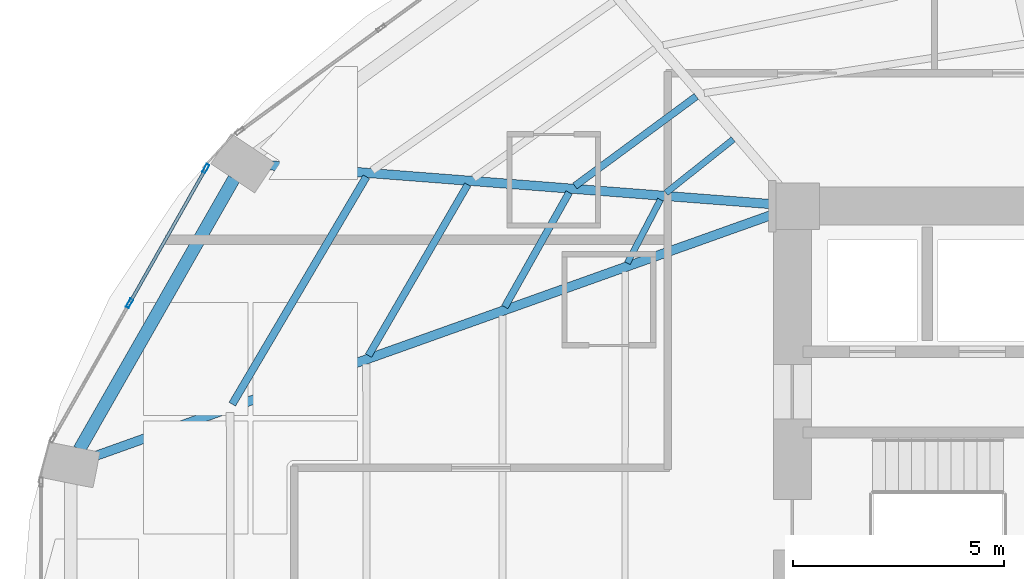
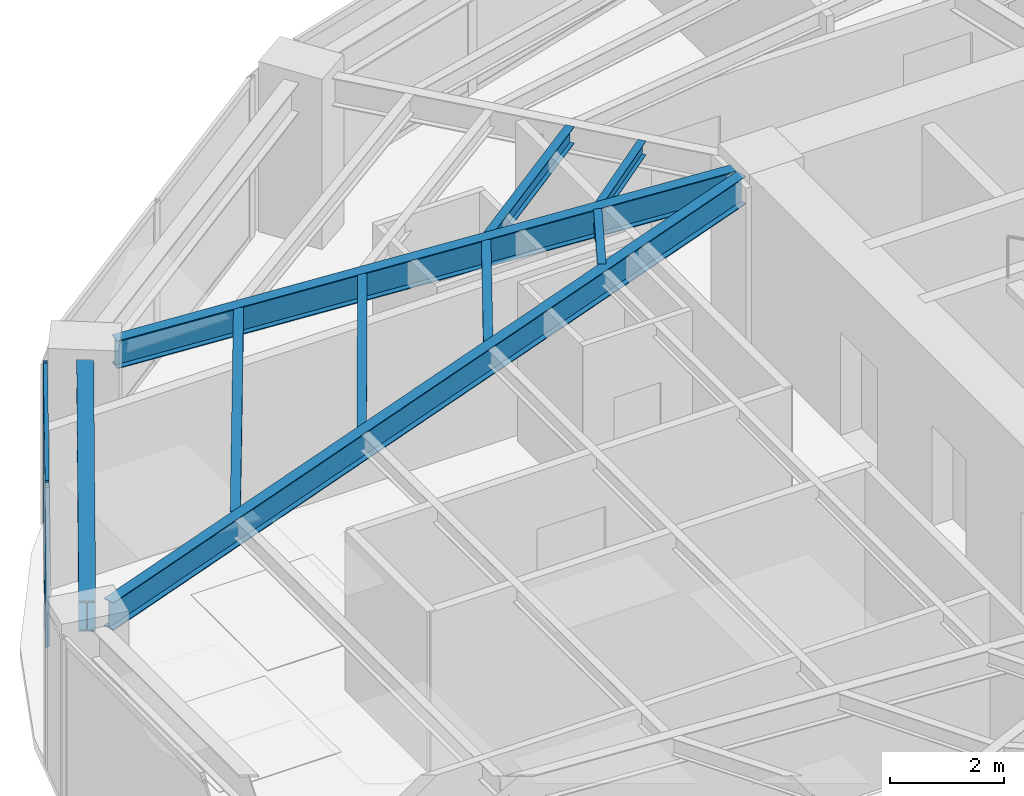
# One storey, part 8 of 25: 9 beams, 4 members, 1 element without a shape of its own.
"""IFC4 building model written with IfcOpenShell, lengths in metres."""

from ifc_helpers import new_model, si_unit, direction, frame, origin, origin_2d, place, context, subcontext, project, spatial, hollow_rectangle, i_section, extrude, material, layer, layer_set, material_profile, profile_set, type_object, element, aggregate, save


model = new_model("IFC4")

# Units and contexts
model_context = context("Model", 3, precision=1e-05, world=origin(), true_north=direction((0.0, 1.0)))
body_context = subcontext(model_context, "Body", "Model", "MODEL_VIEW")
ifc_project = project(units=[si_unit("LENGTHUNIT", "METRE"), si_unit("AREAUNIT", "SQUARE_METRE"), si_unit("VOLUMEUNIT", "CUBIC_METRE"), si_unit("PLANEANGLEUNIT", "RADIAN"), si_unit("MASSUNIT", "GRAM", prefix="KILO")], contexts=[model_context])

# Site, building, storey
site_placement = place(None, origin())
site = spatial("IfcSite", under=ifc_project, at=site_placement, CompositionType="ELEMENT")
building_placement = place(site_placement, origin())
building = spatial("IfcBuilding", under=site, at=building_placement, Name="Lazwardi Medical Tower", CompositionType="ELEMENT")
storey_placement = place(building_placement, frame((0.0, 0.0, 28.847900390625)))
storey = spatial("IfcBuildingStorey", under=building, at=storey_placement, Name="L06", CompositionType="ELEMENT", Elevation=28.847900390625)

# Beams
ifc_material_1 = material(Name="Steel S355", Category="steel")
ifc_material_profile_1 = material_profile(ifc_material_1, i_section(OverallWidth=0.300048828125, OverallDepth=0.64990234375, WebThickness=0.01611328125, FlangeThickness=0.031005859375, at=origin_2d()), Name="HEB 650")
ifc_profile_set_1 = profile_set([ifc_material_profile_1], Name="Steel S355")
beam_type_1 = type_object("IfcBeamType", Name="BM-RB-Z1", PredefinedType="BEAM", material=ifc_profile_set_1)
beam_1_placement = place(storey_placement, frame((13.072021484375, 36.24951171875, 3.10302734375), z_axis=(-0.495829348644, -0.868419977328, 0.0), x_axis=(0.868419977328, -0.495829348644, 0.0)))
element("IfcBeam", 1, at=beam_1_placement, inside=storey, type_object=beam_type_1, Name="Ring beam RB-02 B11 L06", PredefinedType="BEAM", context=body_context, shape_type="SweptSolid", body=[
    extrude(i_section(OverallWidth=0.300048828125, OverallDepth=0.64990234375, WebThickness=0.01611328125, FlangeThickness=0.031005859375, at=origin_2d()), origin(), (0.0, 0.0, 1.0), 7.38916015625),
])
ifc_material_profile_2 = material_profile(ifc_material_1, i_section(OverallWidth=0.219970703125, OverallDepth=0.60009765625, WebThickness=0.011962890625, FlangeThickness=0.01904296875, at=origin_2d()), Name="IPE 600")
ifc_profile_set_2 = profile_set([ifc_material_profile_2], Name="Steel S355")
beam_type_2 = type_object("IfcBeamType", Name="BM-RG-W1", PredefinedType="BEAM", material=ifc_profile_set_2)
beam_2_placement = place(storey_placement, frame((13.8583984375, 36.569580078125, 3.128173828125), z_axis=(0.997024241118, -0.077088667283, 0.0), x_axis=(0.077088667283, 0.997024241118, 0.0)))
element("IfcBeam", 2, at=beam_2_placement, inside=storey, type_object=beam_type_2, Name="Radial girder RG-02 R11 L06", PredefinedType="BEAM", context=body_context, shape_type="SweptSolid", body=[
    extrude(i_section(OverallWidth=0.219970703125, OverallDepth=0.60009765625, WebThickness=0.011962890625, FlangeThickness=0.01904296875, at=origin_2d()), origin(), (0.0, 0.0, 1.0), 12.044189453125),
])
beam_3_placement = place(storey_placement, frame((9.746337890625, 29.66259765625, 3.128173828125), z_axis=(0.941925080425, 0.335823082688, 0.0), x_axis=(-0.335823082688, 0.941925080425, 0.0)))
element("IfcBeam", 3, at=beam_3_placement, inside=storey, type_object=beam_type_2, Name="Radial girder RG-02 R12 L06", PredefinedType="BEAM", context=body_context, shape_type="SweptSolid", body=[
    extrude(i_section(OverallWidth=0.219970703125, OverallDepth=0.60009765625, WebThickness=0.011962890625, FlangeThickness=0.01904296875, at=origin_2d()), origin(), (0.0, 0.0, 1.0), 17.145263671875),
])
ifc_material_profile_3 = material_profile(ifc_material_1, i_section(OverallWidth=0.179931640625, OverallDepth=0.39990234375, WebThickness=0.008544921875, FlangeThickness=0.013427734375, at=origin_2d()), Name="IPE 400")
ifc_profile_set_3 = profile_set([ifc_material_profile_3], Name="Steel S355")
beam_type_3 = type_object("IfcBeamType", Name="BM-SJ-01", PredefinedType="JOIST", material=ifc_profile_set_3)
beam_4_placement = place(storey_placement, frame((16.206787109375, 36.29345703125, 3.22802734375), z_axis=(-0.507886270937, -0.861424132349, 0.0), x_axis=(0.861424132349, -0.507886270937, 0.0)))
element("IfcBeam", 4, at=beam_4_placement, inside=storey, type_object=beam_type_3, Name="Secondary joist SJ-01 R1 B11 L06", PredefinedType="JOIST", context=body_context, shape_type="SweptSolid", body=[
    extrude(i_section(OverallWidth=0.179931640625, OverallDepth=0.39990234375, WebThickness=0.008544921875, FlangeThickness=0.013427734375, at=origin_2d()), origin(), (0.0, 0.0, 1.0), 6.255859375),
])
ifc_material_profile_4 = material_profile(ifc_material_1, i_section(OverallWidth=0.169921875, OverallDepth=0.360107421875, WebThickness=0.008056640625, FlangeThickness=0.0126953125, at=origin_2d()), Name="IPE 360")
ifc_profile_set_4 = profile_set([ifc_material_profile_4], Name="Steel S355")
beam_type_4 = type_object("IfcBeamType", Name="BM-SJ-02", PredefinedType="JOIST", material=ifc_profile_set_4)
beam_5_placement = place(storey_placement, frame((18.60888671875, 36.107421875, 3.248046875), z_axis=(-0.501798442848, -0.86498457949, 0.0), x_axis=(0.86498457949, -0.501798442848, 0.0)))
element("IfcBeam", 5, at=beam_5_placement, inside=storey, type_object=beam_type_4, Name="Secondary joist SJ-02 R2 B11 L06", PredefinedType="JOIST", context=body_context, shape_type="SweptSolid", body=[
    extrude(i_section(OverallWidth=0.169921875, OverallDepth=0.360107421875, WebThickness=0.008056640625, FlangeThickness=0.0126953125, at=origin_2d()), origin(), (0.0, 0.0, 1.0), 4.683349609375),
])
beam_6_placement = place(storey_placement, frame((24.025146484375, 38.19873046875, 3.248046875), z_axis=(-0.804580292353, -0.593843879448, 0.0), x_axis=(0.593843879448, -0.804580292353, 0.0)))
element("IfcBeam", 6, at=beam_6_placement, inside=storey, type_object=beam_type_4, Name="Secondary joist SJ-02 R3 B10 L06", PredefinedType="JOIST", context=body_context, shape_type="SweptSolid", body=[
    extrude(i_section(OverallWidth=0.169921875, OverallDepth=0.360107421875, WebThickness=0.008056640625, FlangeThickness=0.0126953125, at=origin_2d()), origin(), (0.0, 0.0, 1.0), 3.576416015625),
])
beam_7_placement = place(storey_placement, frame((21.011962890625, 35.9208984375, 3.248046875), z_axis=(-0.489974339037, -0.87173685656, 0.0), x_axis=(0.87173685656, -0.489974339037, 0.0)))
element("IfcBeam", 7, at=beam_7_placement, inside=storey, type_object=beam_type_4, Name="Secondary joist SJ-02 R3 B11 L06", PredefinedType="JOIST", context=body_context, shape_type="SweptSolid", body=[
    extrude(i_section(OverallWidth=0.169921875, OverallDepth=0.360107421875, WebThickness=0.008056640625, FlangeThickness=0.0126953125, at=origin_2d()), origin(), (0.0, 0.0, 1.0), 3.111328125),
])
ifc_material_profile_5 = material_profile(ifc_material_1, i_section(OverallWidth=0.14990234375, OverallDepth=0.300048828125, WebThickness=0.007080078125, FlangeThickness=0.0107421875, at=origin_2d()), Name="IPE 300")
ifc_profile_set_5 = profile_set([ifc_material_profile_5], Name="Steel S355")
beam_type_5 = type_object("IfcBeamType", Name="BM-SJ-03", PredefinedType="JOIST", material=ifc_profile_set_5)
beam_8_placement = place(storey_placement, frame((24.901123046875, 37.1806640625, 3.278076171875), z_axis=(-0.782210957226, -0.623013658274, 0.0), x_axis=(0.623013658274, -0.782210957226, 0.0)))
element("IfcBeam", 8, at=beam_8_placement, inside=storey, type_object=beam_type_5, Name="Secondary joist SJ-03 R4 B10 L06", PredefinedType="JOIST", context=body_context, shape_type="SweptSolid", body=[
    extrude(i_section(OverallWidth=0.14990234375, OverallDepth=0.300048828125, WebThickness=0.007080078125, FlangeThickness=0.0107421875, at=origin_2d()), origin(), (0.0, 0.0, 1.0), 2.0380859375),
])
beam_9_placement = place(storey_placement, frame((23.17626953125, 35.752197265625, 3.278076171875), z_axis=(-0.462162985948, -0.88679500135, 0.0), x_axis=(0.88679500135, -0.462162985948, 0.0)))
element("IfcBeam", 9, at=beam_9_placement, inside=storey, type_object=beam_type_5, Name="Secondary joist SJ-03 R4 B11 L06", PredefinedType="JOIST", context=body_context, shape_type="SweptSolid", body=[
    extrude(i_section(OverallWidth=0.14990234375, OverallDepth=0.300048828125, WebThickness=0.007080078125, FlangeThickness=0.0107421875, at=origin_2d()), origin(), (0.0, 0.0, 1.0), 1.69775390625),
])

# Curtain wall, members
ifc_material_2 = material(Name="Anodised bronze aluminium and solar control glazing", Category="aluminium")
ifc_layer = layer(ifc_material_2, 0.199951171875)
ifc_layer_set = layer_set([ifc_layer], Name="Anodised bronze aluminium and solar control glazing")
curtain_wall_type = type_object("IfcCurtainWallType", Name="CW-SYS-02", PredefinedType="NOTDEFINED", material=ifc_layer_set)
curtain_wall_placement = place(storey_placement, origin())
curtain_wall = element("IfcCurtainWall", 10, at=curtain_wall_placement, inside=storey, type_object=curtain_wall_type, Name="L06 Unitised bronze curtain wall CW-02", PredefinedType="NOTDEFINED")
ifc_material_3 = material(Name="Anodised bronze aluminium", Category="aluminium")
ifc_material_profile_6 = material_profile(ifc_material_3, hollow_rectangle(XDim=0.074951171875, YDim=0.219970703125, WallThickness=0.00390625, at=origin_2d()), Name="ALU-MULLION 220x75x4")
ifc_profile_set_6 = profile_set([ifc_material_profile_6], Name="Anodised bronze aluminium")
member_type_1 = type_object("IfcMemberType", Name="CW-MUL-01", PredefinedType="MULLION", material=ifc_profile_set_6)
member_1_placement = place(storey_placement, frame((12.4033203125, 36.488525390625, 0.0), z_axis=(0.0, 0.0, 1.0), x_axis=(0.870111838823, -0.492854327303, 0.0)))
member_1 = element("IfcMember", 11, at=member_1_placement, type_object=member_type_1, Name="CW-02 mullion 1", PredefinedType="MULLION", context=body_context, shape_type="SweptSolid", body=[
    extrude(hollow_rectangle(XDim=0.074951171875, YDim=0.219970703125, WallThickness=0.00390625, at=origin_2d()), origin(), (0.0, 0.0, 1.0), 3.427978515625),
])
member_2_placement = place(storey_placement, frame((10.5947265625, 33.29541015625, 0.0), z_axis=(0.0, 0.0, 1.0), x_axis=(0.870111838823, -0.492854327303, 0.0)))
member_2 = element("IfcMember", 12, at=member_2_placement, type_object=member_type_1, Name="CW-02 mullion 2", PredefinedType="MULLION", context=body_context, shape_type="SweptSolid", body=[
    extrude(hollow_rectangle(XDim=0.074951171875, YDim=0.219970703125, WallThickness=0.00390625, at=origin_2d()), origin(), (0.0, 0.0, 1.0), 3.427978515625),
])
ifc_material_profile_7 = material_profile(ifc_material_3, hollow_rectangle(XDim=0.074951171875, YDim=0.159912109375, WallThickness=0.00390625, at=origin_2d()), Name="ALU-TRANSOM 160x75x4")
ifc_profile_set_7 = profile_set([ifc_material_profile_7], Name="Anodised bronze aluminium")
member_type_2 = type_object("IfcMemberType", Name="CW-TRN-01", PredefinedType="USERDEFINED", material=ifc_profile_set_7)
member_3_placement = place(storey_placement, frame((12.384765625, 36.4560546875, 0.03759765625), z_axis=(-0.49285148925, -0.870113446365, 0.0), x_axis=(0.870113446365, -0.49285148925, 0.0)))
member_3 = element("IfcMember", 13, at=member_3_placement, type_object=member_type_2, Name="CW-02 transom 1.1", ObjectType="TRANSOM", PredefinedType="USERDEFINED", context=body_context, shape_type="SweptSolid", body=[
    extrude(hollow_rectangle(XDim=0.074951171875, YDim=0.159912109375, WallThickness=0.00390625, at=origin_2d()), origin(), (0.0, 0.0, 1.0), 3.594970703125),
])
member_4_placement = place(storey_placement, frame((12.384765625, 36.4560546875, 3.390625), z_axis=(-0.49285148925, -0.870113446365, 0.0), x_axis=(0.870113446365, -0.49285148925, 0.0)))
member_4 = element("IfcMember", 14, at=member_4_placement, type_object=member_type_2, Name="CW-02 transom 1.2", ObjectType="TRANSOM", PredefinedType="USERDEFINED", context=body_context, shape_type="SweptSolid", body=[
    extrude(hollow_rectangle(XDim=0.074951171875, YDim=0.159912109375, WallThickness=0.00390625, at=origin_2d()), origin(), (0.0, 0.0, 1.0), 3.594970703125),
])
aggregate(curtain_wall, [member_1, member_2, member_3, member_4])

save(model, "model.ifc")
